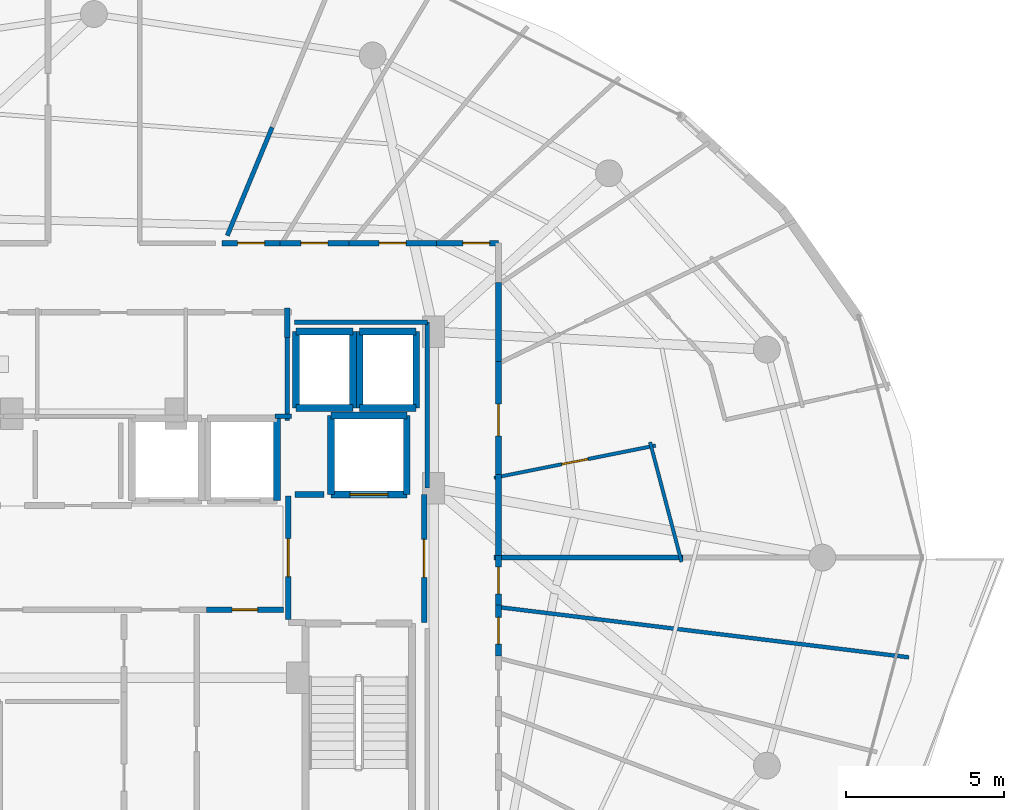
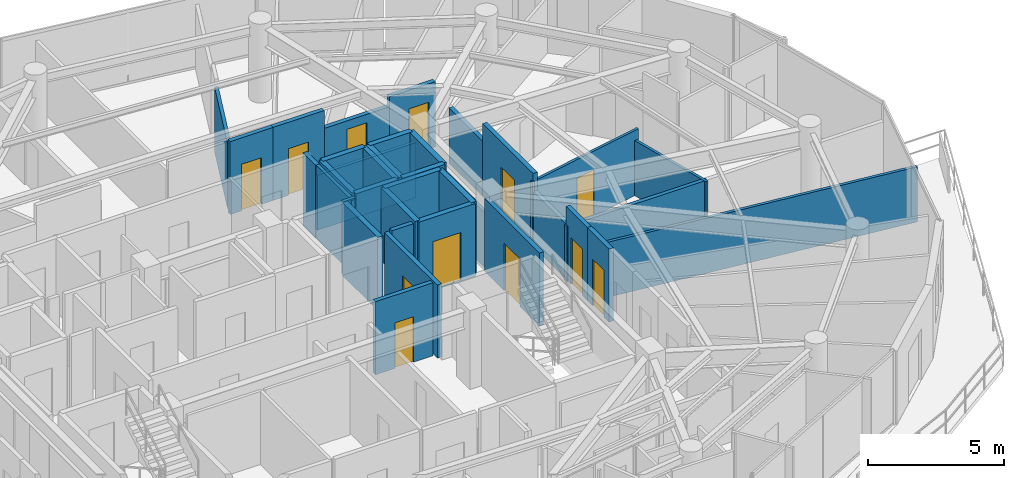
# One storey, part 25 of 30: 36 walls, 12 doors, 12 openings.
"""IFC4 building model written with IfcOpenShell, lengths in metres."""

from ifc_helpers import new_model, si_unit, direction, frame, frame_2d, origin, place, context, subcontext, project, spatial, rectangle, extrude, material, layer, layer_set, type_object, element, fill, save


model = new_model("IFC4")

# Units and contexts
model_context = context("Model", 3, precision=1e-05, world=origin(), true_north=direction((0.0, 1.0)))
body_context = subcontext(model_context, "Body", "Model", "MODEL_VIEW")
ifc_project = project(units=[si_unit("LENGTHUNIT", "METRE"), si_unit("AREAUNIT", "SQUARE_METRE"), si_unit("VOLUMEUNIT", "CUBIC_METRE"), si_unit("PLANEANGLEUNIT", "RADIAN"), si_unit("MASSUNIT", "GRAM", prefix="KILO")], contexts=[model_context])

# Site, building, storey
site_placement = place(None, origin())
site = spatial("IfcSite", under=ifc_project, at=site_placement, CompositionType="ELEMENT")
building_placement = place(site_placement, origin())
building = spatial("IfcBuilding", under=site, at=building_placement, Name="Vorneva Point Tower", CompositionType="ELEMENT")
storey_placement = place(building_placement, frame((0.0, 0.0, 262.64990234375)))
storey = spatial("IfcBuildingStorey", under=building, at=storey_placement, Name="L71", CompositionType="ELEMENT", Elevation=262.64990234375)

# Wall, opening, door
ifc_material_1 = material(Name="Concrete B60 (C50/60)", Category="concrete")
ifc_layer_1 = layer(ifc_material_1, 0.35009765625)
ifc_layer_set_1 = layer_set([ifc_layer_1], Name="Concrete B60 (C50/60)")
wall_type_1 = type_object("IfcWallType", Name="WL-CORE-350", PredefinedType="SHEAR", material=ifc_layer_set_1)
wall_1_placement = place(storey_placement, frame((45.5, 28.0, 0.0), z_axis=(0.0, 0.0, 1.0), x_axis=(1.0, 0.0, 0.0)))
wall_1 = element("IfcWall", 1, at=wall_1_placement, inside=storey, type_object=wall_type_1, Name="L71 Lift FFL2 Shaft Wall -Y", PredefinedType="SHEAR", context=body_context, shape_type="SweptSolid", body=[
    extrude(rectangle(XDim=2.39990234375, YDim=0.219970703125, at=frame_2d((1.199951171875, 0.0))), origin(), (0.0, 0.0, 1.0), 3.2900390625),
])
opening_1_placement = place(wall_1_placement, frame((0.60009765625, 0.0, 0.0)))
opening_1 = element("IfcOpeningElement", 2, at=opening_1_placement, cuts=wall_1, Name="Opening LD-02", PredefinedType="OPENING", context=body_context, shape_type="SweptSolid", body=[
    extrude(rectangle(XDim=1.199951171875, YDim=2.199951171875, at=frame_2d((0.60009765625, 1.10009765625))), frame((0.0, 0.125, 0.0), z_axis=(0.0, -1.0, 0.0), x_axis=(1.0, 0.0, 0.0)), (0.0, 0.0, 1.0), 0.249755859375),
])
ifc_material_2 = material(Name="Brushed stainless steel S304", Category="steel")
door_type_1 = type_object("IfcDoorType", Name="LD-FIRE-1200", OperationType="SLIDING_TO_LEFT", PredefinedType="DOOR", material=ifc_material_2)
door_1_placement = place(opening_1_placement, origin())
door_1 = element("IfcDoor", 3, at=door_1_placement, inside=storey, type_object=door_type_1, Name="L71 Lift FFL2 Sliding Landing Door", OperationType="SLIDING_TO_LEFT", OverallHeight=2.199951171875, OverallWidth=1.199951171875, PredefinedType="DOOR", context=body_context, shape_type="SweptSolid", body=[
    extrude(rectangle(XDim=1.199951171875, YDim=2.199951171875, at=frame_2d((0.60009765625, 1.10009765625))), frame((0.0, 0.02490234375, 0.0), z_axis=(0.0, -1.0, 0.0), x_axis=(1.0, 0.0, 0.0)), (0.0, 0.0, 1.0), 0.050048828125),
])
fill(opening_1, door_1)

# Walls
wall_2_placement = place(storey_placement, frame((47.89990234375, 28.0, 0.0), z_axis=(0.0, 0.0, 1.0), x_axis=(0.0, 1.0, 0.0)))
element("IfcWall", 4, at=wall_2_placement, inside=storey, type_object=wall_type_1, Name="L71 Lift FFL2 Shaft Wall +X", PredefinedType="SHEAR", context=body_context, shape_type="SweptSolid", body=[
    extrude(rectangle(XDim=2.5, YDim=0.219970703125, at=frame_2d((1.25, 0.0))), origin(), (0.0, 0.0, 1.0), 3.2900390625),
])
wall_3_placement = place(storey_placement, frame((47.89990234375, 30.5, 0.0), z_axis=(0.0, 0.0, 1.0), x_axis=(-1.0, 0.0, 0.0)))
element("IfcWall", 5, at=wall_3_placement, inside=storey, type_object=wall_type_1, Name="L71 Lift FFL2 Shaft Wall +Y", PredefinedType="SHEAR", context=body_context, shape_type="SweptSolid", body=[
    extrude(rectangle(XDim=2.39990234375, YDim=0.219970703125, at=frame_2d((1.199951171875, 0.0))), origin(), (0.0, 0.0, 1.0), 3.2900390625),
])
wall_4_placement = place(storey_placement, frame((45.5, 30.5, 0.0), z_axis=(0.0, 0.0, 1.0), x_axis=(0.0, -1.0, 0.0)))
element("IfcWall", 6, at=wall_4_placement, inside=storey, type_object=wall_type_1, Name="L71 Lift FFL2 Shaft Wall -X", PredefinedType="SHEAR", context=body_context, shape_type="SweptSolid", body=[
    extrude(rectangle(XDim=2.5, YDim=0.219970703125, at=frame_2d((1.25, 0.0))), origin(), (0.0, 0.0, 1.0), 3.2900390625),
])

# Wall, opening, door
ifc_material_3 = material(Name="Fire-rated acoustic gypsum stud partition", Category="gypsum")
ifc_layer_2 = layer(ifc_material_3, 0.110107421875)
ifc_layer_set_2 = layer_set([ifc_layer_2], Name="Fire-rated acoustic gypsum stud partition")
wall_type_2 = type_object("IfcWallType", Name="WL-PART-110", PredefinedType="PARTITIONING", material=ifc_layer_set_2)
wall_5_placement = place(storey_placement, frame((50.66259765625, 28.526611328125, 0.0), z_axis=(0.0, 0.0, 1.0), x_axis=(0.980652709614, 0.195755620935, 0.0)))
wall_5 = element("IfcWall", 7, at=wall_5_placement, inside=storey, type_object=wall_type_2, Name="L71 Interior Partition 124", PredefinedType="PARTITIONING", context=body_context, shape_type="SweptSolid", body=[
    extrude(rectangle(XDim=5.20947265625, YDim=0.110107421875, at=frame_2d((2.604736328125, 0.0))), origin(), (0.0, 0.0, 1.0), 2.93603515625),
])
opening_2_placement = place(wall_5_placement, frame((2.1796875, 0.0, 0.0)))
opening_2 = element("IfcOpeningElement", 8, at=opening_2_placement, cuts=wall_5, Name="Opening ID-02", PredefinedType="OPENING", context=body_context, shape_type="SweptSolid", body=[
    extrude(rectangle(XDim=0.85009765625, YDim=2.10009765625, at=frame_2d((0.425048828125, 1.050048828125))), frame((0.0, 0.06982421875, 0.0), z_axis=(0.0, -1.0, 0.0), x_axis=(1.0, 0.0, 0.0)), (0.0, 0.0, 1.0), 0.139892578125),
])
ifc_material_4 = material(Name="Engineered oak fire-rated door leaf", Category="wood")
door_type_2 = type_object("IfcDoorType", Name="DR-BATH-850", OperationType="NOTDEFINED", PredefinedType="DOOR", material=ifc_material_4)
door_2_placement = place(opening_2_placement, origin())
door_2 = element("IfcDoor", 9, at=door_2_placement, inside=storey, type_object=door_type_2, Name="L71 Door Living and Dining Room L71-04 / Bathroom L71-04", OperationType="SINGLE_SWING_LEFT", OverallHeight=2.10009765625, OverallWidth=0.85009765625, PredefinedType="DOOR", context=body_context, shape_type="SweptSolid", body=[
    extrude(rectangle(XDim=0.85009765625, YDim=2.10009765625, at=frame_2d((0.425048828125, 1.050048828125))), frame((0.0, 0.02490234375, 0.0), z_axis=(0.0, -1.0, 0.0), x_axis=(1.0, 0.0, 0.0)), (0.0, 0.0, 1.0), 0.050048828125),
])
fill(opening_2, door_2)

# Walls
wall_6_placement = place(storey_placement, frame((55.598388671875, 29.654296875, 0.0), z_axis=(0.0, 0.0, 1.0), x_axis=(0.25449329928, -0.967074537263, 0.0)))
element("IfcWall", 10, at=wall_6_placement, inside=storey, type_object=wall_type_2, Name="L71 Interior Partition 125", PredefinedType="PARTITIONING", context=body_context, shape_type="SweptSolid", body=[
    extrude(rectangle(XDim=3.9189453125, YDim=0.110107421875, at=frame_2d((1.95947265625, 0.0))), origin(), (0.0, 0.0, 1.0), 2.482177734375),
])
ifc_layer_3 = layer(ifc_material_3, 0.125)
ifc_layer_set_3 = layer_set([ifc_layer_3], Name="Fire-rated acoustic gypsum stud partition")
wall_type_3 = type_object("IfcWallType", Name="WL-PART-125", PredefinedType="PARTITIONING", material=ifc_layer_set_3)
wall_7_placement = place(storey_placement, frame((63.7880859375, 22.844970703125, 0.0), z_axis=(0.0, 0.0, 1.0), x_axis=(-0.992598006299, 0.121446275738, 0.0)))
element("IfcWall", 11, at=wall_7_placement, inside=storey, type_object=wall_type_3, Name="L71 Interior Partition 121", PredefinedType="PARTITIONING", context=body_context, shape_type="SweptSolid", body=[
    extrude(rectangle(XDim=13.0849609375, YDim=0.125, at=frame_2d((6.54248046875, 0.0))), origin(), (0.0, 0.0, 1.0), 2.482177734375),
])
ifc_layer_4 = layer(ifc_material_3, 0.139892578125)
ifc_layer_set_4 = layer_set([ifc_layer_4], Name="Fire-rated acoustic gypsum stud partition")
wall_type_4 = type_object("IfcWallType", Name="WL-PART-140", PredefinedType="PARTITIONING", material=ifc_layer_set_4)
wall_8_placement = place(storey_placement, frame((43.735107421875, 30.47998046875, 0.0), z_axis=(0.0, 0.0, 1.0), x_axis=(1.0, 0.0, 0.0)))
element("IfcWall", 12, at=wall_8_placement, inside=storey, type_object=wall_type_4, Name="L71 Interior Closure Partition 145", PredefinedType="PARTITIONING", context=body_context, shape_type="SweptSolid", body=[
    extrude(rectangle(XDim=0.52490234375, YDim=0.139892578125, at=frame_2d((0.262451171875, 0.0))), origin(), (0.0, 0.0, 1.0), 3.2900390625),
])
wall_9_placement = place(storey_placement, frame((44.1201171875, 30.340087890625, 0.0), z_axis=(0.0, 0.0, 1.0), x_axis=(0.0, 1.0, 0.0)))
element("IfcWall", 13, at=wall_9_placement, inside=storey, type_object=wall_type_4, Name="L71 Interior Closure Partition 146", PredefinedType="PARTITIONING", context=body_context, shape_type="SweptSolid", body=[
    extrude(rectangle(XDim=2.659912109375, YDim=0.139892578125, at=frame_2d((1.330078125, 0.0))), origin(), (0.0, 0.0, 1.0), 3.2900390625),
])
wall_10_placement = place(storey_placement, frame((48.550048828125, 28.196044921875, 0.0), z_axis=(0.0, 0.0, 1.0), x_axis=(0.0, 1.0, 0.0)))
element("IfcWall", 14, at=wall_10_placement, inside=storey, type_object=wall_type_4, Name="L71 Interior Closure Partition 160", PredefinedType="PARTITIONING", context=body_context, shape_type="SweptSolid", body=[
    extrude(rectangle(XDim=5.25390625, YDim=0.139892578125, at=frame_2d((2.626953125, 0.0))), origin(), (0.0, 0.0, 1.0), 2.482177734375),
])
wall_11_placement = place(storey_placement, frame((48.550048828125, 33.449951171875, 0.0), z_axis=(0.0, 0.0, 1.0), x_axis=(-1.0, 0.0, 0.0)))
element("IfcWall", 15, at=wall_11_placement, inside=storey, type_object=wall_type_4, Name="L71 Interior Closure Partition 161", PredefinedType="PARTITIONING", context=body_context, shape_type="SweptSolid", body=[
    extrude(rectangle(XDim=4.2099609375, YDim=0.139892578125, at=frame_2d((2.10498046875, 0.0))), origin(), (0.0, 0.0, 1.0), 2.482177734375),
])
wall_12_placement = place(storey_placement, frame((43.638916015625, 39.614013671875, 0.0), z_axis=(0.0, 0.0, 1.0), x_axis=(-0.38270095978, -0.923872272224, 0.0)))
element("IfcWall", 16, at=wall_12_placement, inside=storey, type_object=wall_type_4, Name="L71 Interior Closure Partition 171", PredefinedType="PARTITIONING", context=body_context, shape_type="SweptSolid", body=[
    extrude(rectangle(XDim=3.705078125, YDim=0.139892578125, at=frame_2d((1.8525390625, 0.0))), origin(), (0.0, 0.0, 1.0), 2.93603515625),
])
ifc_layer_5 = layer(ifc_material_3, 0.159912109375)
ifc_layer_set_5 = layer_set([ifc_layer_5], Name="Fire-rated acoustic gypsum stud partition")
wall_type_5 = type_object("IfcWallType", Name="WL-PART-160", PredefinedType="PARTITIONING", material=ifc_layer_set_5)
wall_13_placement = place(storey_placement, frame((56.637939453125, 26.0, 0.0), z_axis=(0.0, 0.0, 1.0), x_axis=(-1.0, 0.0, 0.0)))
element("IfcWall", 17, at=wall_13_placement, inside=storey, type_object=wall_type_5, Name="L71 Interior Partition 123", PredefinedType="PARTITIONING", context=body_context, shape_type="SweptSolid", body=[
    extrude(rectangle(XDim=5.97802734375, YDim=0.159912109375, at=frame_2d((2.989013671875, 0.0))), origin(), (0.0, 0.0, 1.0), 2.482177734375),
])

# Wall, opening, door
ifc_material_5 = material(Name="Autoclaved aerated concrete blockwork", Category="masonry")
ifc_layer_6 = layer(ifc_material_5, 0.179931640625)
ifc_layer_set_6 = layer_set([ifc_layer_6], Name="Autoclaved aerated concrete blockwork")
wall_type_6 = type_object("IfcWallType", Name="WL-PART-180", PredefinedType="PARTITIONING", material=ifc_layer_set_6)
wall_14_placement = place(storey_placement, frame((44.14990234375, 27.955078125, 0.0), z_axis=(0.0, 0.0, 1.0), x_axis=(0.0, -1.0, 0.0)))
wall_14 = element("IfcWall", 18, at=wall_14_placement, inside=storey, type_object=wall_type_6, Name="L71 Interior Partition 003", PredefinedType="PARTITIONING", context=body_context, shape_type="SweptSolid", body=[
    extrude(rectangle(XDim=3.91015625, YDim=0.179931640625, at=frame_2d((1.955078125, 0.0))), origin(), (0.0, 0.0, 1.0), 3.2900390625),
])
opening_3_placement = place(wall_14_placement, frame((1.35498046875, 0.0, 0.0)))
opening_3 = element("IfcOpeningElement", 19, at=opening_3_placement, cuts=wall_14, Name="Opening FD-02", PredefinedType="OPENING", context=body_context, shape_type="SweptSolid", body=[
    extrude(rectangle(XDim=1.199951171875, YDim=2.14990234375, at=frame_2d((0.60009765625, 1.074951171875))), frame((0.0, 0.10498046875, 0.0), z_axis=(0.0, -1.0, 0.0), x_axis=(1.0, 0.0, 0.0)), (0.0, 0.0, 1.0), 0.209716796875),
])
ifc_material_6 = material(Name="Fire-rated powder-coated steel", Category="steel")
door_type_3 = type_object("IfcDoorType", Name="DR-FFL-1200", OperationType="NOTDEFINED", PredefinedType="DOOR", material=ifc_material_6)
door_3_placement = place(opening_3_placement, origin())
door_3 = element("IfcDoor", 20, at=door_3_placement, inside=storey, type_object=door_type_3, Name="L71 Door East Firefighting Lobby / Central Lift Lobby", OperationType="SINGLE_SWING_LEFT", OverallHeight=2.14990234375, OverallWidth=1.199951171875, PredefinedType="DOOR", context=body_context, shape_type="SweptSolid", body=[
    extrude(rectangle(XDim=1.199951171875, YDim=2.14990234375, at=frame_2d((0.60009765625, 1.074951171875))), frame((0.0, 0.02490234375, 0.0), z_axis=(0.0, -1.0, 0.0), x_axis=(1.0, 0.0, 0.0)), (0.0, 0.0, 1.0), 0.050048828125),
])
fill(opening_3, door_3)

wall_15_placement = place(storey_placement, frame((48.449951171875, 23.949951171875, 0.0), z_axis=(0.0, 0.0, 1.0), x_axis=(0.0, 1.0, 0.0)))
wall_15 = element("IfcWall", 21, at=wall_15_placement, inside=storey, type_object=wall_type_6, Name="L71 Interior Partition 005", PredefinedType="PARTITIONING", context=body_context, shape_type="SweptSolid", body=[
    extrude(rectangle(XDim=4.050048828125, YDim=0.179931640625, at=frame_2d((2.02490234375, 0.0))), origin(), (0.0, 0.0, 1.0), 3.2900390625),
])
opening_4_placement = place(wall_15_placement, frame((1.425048828125, 0.0, 0.0)))
opening_4 = element("IfcOpeningElement", 22, at=opening_4_placement, cuts=wall_15, Name="Opening FD-02", PredefinedType="OPENING", context=body_context, shape_type="SweptSolid", body=[
    extrude(rectangle(XDim=1.199951171875, YDim=2.14990234375, at=frame_2d((0.60009765625, 1.074951171875))), frame((0.0, 0.10498046875, 0.0), z_axis=(0.0, -1.0, 0.0), x_axis=(1.0, 0.0, 0.0)), (0.0, 0.0, 1.0), 0.209716796875),
])
door_4_placement = place(opening_4_placement, origin())
door_4 = element("IfcDoor", 23, at=door_4_placement, inside=storey, type_object=door_type_3, Name="L71 Door East Firefighting Lobby / L71 Circulation Corridor", OperationType="SINGLE_SWING_LEFT", OverallHeight=2.14990234375, OverallWidth=1.199951171875, PredefinedType="DOOR", context=body_context, shape_type="SweptSolid", body=[
    extrude(rectangle(XDim=1.199951171875, YDim=2.14990234375, at=frame_2d((0.60009765625, 1.074951171875))), frame((0.0, 0.02490234375, 0.0), z_axis=(0.0, -1.0, 0.0), x_axis=(1.0, 0.0, 0.0)), (0.0, 0.0, 1.0), 0.050048828125),
])
fill(opening_4, door_4)

wall_16_placement = place(storey_placement, frame((41.554931640625, 24.35009765625, 0.0), z_axis=(0.0, 0.0, 1.0), x_axis=(1.0, 0.0, 0.0)))
wall_16 = element("IfcWall", 24, at=wall_16_placement, inside=storey, type_object=wall_type_6, Name="L71 Interior Partition 011", PredefinedType="PARTITIONING", context=body_context, shape_type="SweptSolid", body=[
    extrude(rectangle(XDim=2.445068359375, YDim=0.179931640625, at=frame_2d((1.22265625, 0.0))), origin(), (0.0, 0.0, 1.0), 3.2900390625),
])
opening_5_placement = place(wall_16_placement, frame((0.822509765625, 0.0, 0.0)))
opening_5 = element("IfcOpeningElement", 25, at=opening_5_placement, cuts=wall_16, Name="Opening RD-01", PredefinedType="OPENING", context=body_context, shape_type="SweptSolid", body=[
    extrude(rectangle(XDim=0.800048828125, YDim=2.050048828125, at=frame_2d((0.39990234375, 1.02490234375))), frame((0.0, 0.10498046875, 0.0), z_axis=(0.0, -1.0, 0.0), x_axis=(1.0, 0.0, 0.0)), (0.0, 0.0, 1.0), 0.209716796875),
])
door_type_4 = type_object("IfcDoorType", Name="DR-RSR-800", OperationType="SINGLE_SWING_LEFT", PredefinedType="DOOR", material=ifc_material_6)
door_5_placement = place(opening_5_placement, origin())
door_5 = element("IfcDoor", 26, at=door_5_placement, inside=storey, type_object=door_type_4, Name="L71 Door Central Lift Lobby / Electrical Riser", OperationType="SINGLE_SWING_LEFT", OverallHeight=2.050048828125, OverallWidth=0.800048828125, PredefinedType="DOOR", context=body_context, shape_type="SweptSolid", body=[
    extrude(rectangle(XDim=0.800048828125, YDim=2.050048828125, at=frame_2d((0.39990234375, 1.02490234375))), frame((0.0, 0.02490234375, 0.0), z_axis=(0.0, -1.0, 0.0), x_axis=(1.0, 0.0, 0.0)), (0.0, 0.0, 1.0), 0.050048828125),
])
fill(opening_5, door_5)

# Wall
wall_17_placement = place(storey_placement, frame((44.1201171875, 32.969970703125, 0.0), z_axis=(0.0, 0.0, 1.0), x_axis=(0.0, 1.0, 0.0)))
element("IfcWall", 27, at=wall_17_placement, inside=storey, type_object=wall_type_6, Name="L71 Interior Partition 027", PredefinedType="PARTITIONING", context=body_context, shape_type="SweptSolid", body=[
    extrude(rectangle(XDim=0.929931640625, YDim=0.179931640625, at=frame_2d((0.46484375, 0.0))), origin(), (0.0, 0.0, 1.0), 3.2900390625),
])

# Wall, opening, door
wall_18_placement = place(storey_placement, frame((50.800048828125, 22.8798828125, 0.0), z_axis=(0.0, 0.0, 1.0), x_axis=(0.0, 1.0, 0.0)))
wall_18 = element("IfcWall", 28, at=wall_18_placement, inside=storey, type_object=wall_type_6, Name="L71 Interior Partition 053", PredefinedType="PARTITIONING", context=body_context, shape_type="SweptSolid", body=[
    extrude(rectangle(XDim=1.614013671875, YDim=0.179931640625, at=frame_2d((0.80712890625, 0.0))), origin(), (0.0, 0.0, 1.0), 3.2900390625),
])
opening_6_placement = place(wall_18_placement, frame((0.382080078125, 0.0, 0.0)))
opening_6 = element("IfcOpeningElement", 29, at=opening_6_placement, cuts=wall_18, Name="Opening ID-02", PredefinedType="OPENING", context=body_context, shape_type="SweptSolid", body=[
    extrude(rectangle(XDim=0.85009765625, YDim=2.10009765625, at=frame_2d((0.425048828125, 1.050048828125))), frame((0.0, 0.10498046875, 0.0), z_axis=(0.0, -1.0, 0.0), x_axis=(1.0, 0.0, 0.0)), (0.0, 0.0, 1.0), 0.209716796875),
])
door_6_placement = place(opening_6_placement, origin())
door_6 = element("IfcDoor", 30, at=door_6_placement, inside=storey, type_object=door_type_2, Name="L71 Access Door L71 Circulation Corridor", OperationType="SINGLE_SWING_RIGHT", OverallHeight=2.10009765625, OverallWidth=0.85009765625, PredefinedType="DOOR", context=body_context, shape_type="SweptSolid", body=[
    extrude(rectangle(XDim=0.85009765625, YDim=2.10009765625, at=frame_2d((0.425048828125, 1.050048828125))), frame((0.0, 0.02490234375, 0.0), z_axis=(0.0, -1.0, 0.0), x_axis=(1.0, 0.0, 0.0)), (0.0, 0.0, 1.0), 0.050048828125),
])
fill(opening_6, door_6)

wall_19_placement = place(storey_placement, frame((50.800048828125, 24.493896484375, 0.0), z_axis=(0.0, 0.0, 1.0), x_axis=(0.0, 1.0, 0.0)))
wall_19 = element("IfcWall", 31, at=wall_19_placement, inside=storey, type_object=wall_type_6, Name="L71 Interior Partition 054", PredefinedType="PARTITIONING", context=body_context, shape_type="SweptSolid", body=[
    extrude(rectangle(XDim=1.566162109375, YDim=0.179931640625, at=frame_2d((0.783203125, 0.0))), origin(), (0.0, 0.0, 1.0), 3.2900390625),
])
opening_7_placement = place(wall_19_placement, frame((0.35791015625, 0.0, 0.0)))
opening_7 = element("IfcOpeningElement", 32, at=opening_7_placement, cuts=wall_19, Name="Opening ID-02", PredefinedType="OPENING", context=body_context, shape_type="SweptSolid", body=[
    extrude(rectangle(XDim=0.85009765625, YDim=2.10009765625, at=frame_2d((0.425048828125, 1.050048828125))), frame((0.0, 0.10498046875, 0.0), z_axis=(0.0, -1.0, 0.0), x_axis=(1.0, 0.0, 0.0)), (0.0, 0.0, 1.0), 0.209716796875),
])
door_7_placement = place(opening_7_placement, origin())
door_7 = element("IfcDoor", 33, at=door_7_placement, inside=storey, type_object=door_type_2, Name="L71 Access Door L71 Circulation Corridor", OperationType="SINGLE_SWING_LEFT", OverallHeight=2.10009765625, OverallWidth=0.85009765625, PredefinedType="DOOR", context=body_context, shape_type="SweptSolid", body=[
    extrude(rectangle(XDim=0.85009765625, YDim=2.10009765625, at=frame_2d((0.425048828125, 1.050048828125))), frame((0.0, 0.02490234375, 0.0), z_axis=(0.0, -1.0, 0.0), x_axis=(1.0, 0.0, 0.0)), (0.0, 0.0, 1.0), 0.050048828125),
])
fill(opening_7, door_7)

wall_20_placement = place(storey_placement, frame((50.800048828125, 28.493896484375, 0.0), z_axis=(0.0, 0.0, 1.0), x_axis=(0.0, 1.0, 0.0)))
wall_20 = element("IfcWall", 34, at=wall_20_placement, inside=storey, type_object=wall_type_6, Name="L71 Interior Partition 055", PredefinedType="PARTITIONING", context=body_context, shape_type="SweptSolid", body=[
    extrude(rectangle(XDim=3.718994140625, YDim=0.179931640625, at=frame_2d((1.859375, 0.0))), origin(), (0.0, 0.0, 1.0), 3.2900390625),
])
opening_8_placement = place(wall_20_placement, frame((1.359619140625, 0.0, 0.0)))
opening_8 = element("IfcOpeningElement", 35, at=opening_8_placement, cuts=wall_20, Name="Opening UD-01", PredefinedType="OPENING", context=body_context, shape_type="SweptSolid", body=[
    extrude(rectangle(XDim=1.0, YDim=2.14990234375, at=frame_2d((0.5, 1.074951171875))), frame((0.0, 0.10498046875, 0.0), z_axis=(0.0, -1.0, 0.0), x_axis=(1.0, 0.0, 0.0)), (0.0, 0.0, 1.0), 0.209716796875),
])
door_type_5 = type_object("IfcDoorType", Name="DR-UNIT-1000", OperationType="NOTDEFINED", PredefinedType="DOOR", material=ifc_material_4)
door_8_placement = place(opening_8_placement, origin())
door_8 = element("IfcDoor", 36, at=door_8_placement, inside=storey, type_object=door_type_5, Name="L71 Door L71 Circulation Corridor / Living and Dining Room L71-04", OperationType="SINGLE_SWING_RIGHT", OverallHeight=2.14990234375, OverallWidth=1.0, PredefinedType="DOOR", context=body_context, shape_type="SweptSolid", body=[
    extrude(rectangle(XDim=1.0, YDim=2.14990234375, at=frame_2d((0.5, 1.074951171875))), frame((0.0, 0.02490234375, 0.0), z_axis=(0.0, -1.0, 0.0), x_axis=(1.0, 0.0, 0.0)), (0.0, 0.0, 1.0), 0.050048828125),
])
fill(opening_8, door_8)

# Walls
wall_21_placement = place(storey_placement, frame((50.800048828125, 25.919921875, 0.0), z_axis=(0.0, 0.0, 1.0), x_axis=(0.0, 1.0, 0.0)))
element("IfcWall", 37, at=wall_21_placement, inside=storey, type_object=wall_type_6, Name="L71 Interior Partition 056", PredefinedType="PARTITIONING", context=body_context, shape_type="SweptSolid", body=[
    extrude(rectangle(XDim=2.714111328125, YDim=0.179931640625, at=frame_2d((1.35693359375, 0.0))), origin(), (0.0, 0.0, 1.0), 2.482177734375),
])
wall_22_placement = place(storey_placement, frame((50.800048828125, 32.212890625, 0.0), z_axis=(0.0, 0.0, 1.0), x_axis=(0.0, 1.0, 0.0)))
element("IfcWall", 38, at=wall_22_placement, inside=storey, type_object=wall_type_6, Name="L71 Interior Partition 057", PredefinedType="PARTITIONING", context=body_context, shape_type="SweptSolid", body=[
    extrude(rectangle(XDim=2.4990234375, YDim=0.179931640625, at=frame_2d((1.24951171875, 0.0))), origin(), (0.0, 0.0, 1.0), 2.482177734375),
])

# Wall, opening, door
wall_23_placement = place(storey_placement, frame((50.800048828125, 35.949951171875, 0.0), z_axis=(0.0, 0.0, 1.0), x_axis=(-1.0, 0.0, 0.0)))
wall_23 = element("IfcWall", 39, at=wall_23_placement, inside=storey, type_object=wall_type_6, Name="L71 Interior Partition 059", PredefinedType="PARTITIONING", context=body_context, shape_type="SweptSolid", body=[
    extrude(rectangle(XDim=1.9599609375, YDim=0.179931640625, at=frame_2d((0.97998046875, 0.0))), origin(), (0.0, 0.0, 1.0), 2.93603515625),
])
opening_9_placement = place(wall_23_placement, frame((0.27490234375, 0.0, 0.0)))
opening_9 = element("IfcOpeningElement", 40, at=opening_9_placement, cuts=wall_23, Name="Opening ID-02", PredefinedType="OPENING", context=body_context, shape_type="SweptSolid", body=[
    extrude(rectangle(XDim=0.85009765625, YDim=2.10009765625, at=frame_2d((0.425048828125, 1.050048828125))), frame((0.0, 0.10498046875, 0.0), z_axis=(0.0, -1.0, 0.0), x_axis=(1.0, 0.0, 0.0)), (0.0, 0.0, 1.0), 0.209716796875),
])
door_9_placement = place(opening_9_placement, origin())
door_9 = element("IfcDoor", 41, at=door_9_placement, inside=storey, type_object=door_type_2, Name="L71 Access Door L71 Circulation Corridor", OperationType="SINGLE_SWING_RIGHT", OverallHeight=2.10009765625, OverallWidth=0.85009765625, PredefinedType="DOOR", context=body_context, shape_type="SweptSolid", body=[
    extrude(rectangle(XDim=0.85009765625, YDim=2.10009765625, at=frame_2d((0.425048828125, 1.050048828125))), frame((0.0, 0.02490234375, 0.0), z_axis=(0.0, -1.0, 0.0), x_axis=(1.0, 0.0, 0.0)), (0.0, 0.0, 1.0), 0.050048828125),
])
fill(opening_9, door_9)

wall_24_placement = place(storey_placement, frame((48.840087890625, 35.949951171875, 0.0), z_axis=(0.0, 0.0, 1.0), x_axis=(-1.0, 0.0, 0.0)))
wall_24 = element("IfcWall", 42, at=wall_24_placement, inside=storey, type_object=wall_type_6, Name="L71 Interior Partition 060", PredefinedType="PARTITIONING", context=body_context, shape_type="SweptSolid", body=[
    extrude(rectangle(XDim=2.773193359375, YDim=0.179931640625, at=frame_2d((1.38671875, 0.0))), origin(), (0.0, 0.0, 1.0), 2.482177734375),
])
opening_10_placement = place(wall_24_placement, frame((0.96142578125, 0.0, 0.0)))
opening_10 = element("IfcOpeningElement", 43, at=opening_10_placement, cuts=wall_24, Name="Opening ID-02", PredefinedType="OPENING", context=body_context, shape_type="SweptSolid", body=[
    extrude(rectangle(XDim=0.85009765625, YDim=2.10009765625, at=frame_2d((0.425048828125, 1.050048828125))), frame((0.0, 0.10498046875, 0.0), z_axis=(0.0, -1.0, 0.0), x_axis=(1.0, 0.0, 0.0)), (0.0, 0.0, 1.0), 0.209716796875),
])
door_10_placement = place(opening_10_placement, origin())
door_10 = element("IfcDoor", 44, at=door_10_placement, inside=storey, type_object=door_type_2, Name="L71 Access Door L71 Circulation Corridor", OperationType="SINGLE_SWING_LEFT", OverallHeight=2.10009765625, OverallWidth=0.85009765625, PredefinedType="DOOR", context=body_context, shape_type="SweptSolid", body=[
    extrude(rectangle(XDim=0.85009765625, YDim=2.10009765625, at=frame_2d((0.425048828125, 1.050048828125))), frame((0.0, 0.02490234375, 0.0), z_axis=(0.0, -1.0, 0.0), x_axis=(1.0, 0.0, 0.0)), (0.0, 0.0, 1.0), 0.050048828125),
])
fill(opening_10, door_10)

wall_25_placement = place(storey_placement, frame((46.06689453125, 35.949951171875, 0.0), z_axis=(0.0, 0.0, 1.0), x_axis=(-1.0, 0.0, 0.0)))
wall_25 = element("IfcWall", 45, at=wall_25_placement, inside=storey, type_object=wall_type_6, Name="L71 Interior Partition 061", PredefinedType="PARTITIONING", context=body_context, shape_type="SweptSolid", body=[
    extrude(rectangle(XDim=2.178955078125, YDim=0.179931640625, at=frame_2d((1.08935546875, 0.0))), origin(), (0.0, 0.0, 1.0), 3.2900390625),
])
opening_11_placement = place(wall_25_placement, frame((0.66455078125, 0.0, 0.0)))
opening_11 = element("IfcOpeningElement", 46, at=opening_11_placement, cuts=wall_25, Name="Opening ID-02", PredefinedType="OPENING", context=body_context, shape_type="SweptSolid", body=[
    extrude(rectangle(XDim=0.85009765625, YDim=2.10009765625, at=frame_2d((0.425048828125, 1.050048828125))), frame((0.0, 0.10498046875, 0.0), z_axis=(0.0, -1.0, 0.0), x_axis=(1.0, 0.0, 0.0)), (0.0, 0.0, 1.0), 0.209716796875),
])
door_11_placement = place(opening_11_placement, origin())
door_11 = element("IfcDoor", 47, at=door_11_placement, inside=storey, type_object=door_type_2, Name="L71 Access Door L71 Circulation Corridor", OperationType="SINGLE_SWING_RIGHT", OverallHeight=2.10009765625, OverallWidth=0.85009765625, PredefinedType="DOOR", context=body_context, shape_type="SweptSolid", body=[
    extrude(rectangle(XDim=0.85009765625, YDim=2.10009765625, at=frame_2d((0.425048828125, 1.050048828125))), frame((0.0, 0.02490234375, 0.0), z_axis=(0.0, -1.0, 0.0), x_axis=(1.0, 0.0, 0.0)), (0.0, 0.0, 1.0), 0.050048828125),
])
fill(opening_11, door_11)

wall_26_placement = place(storey_placement, frame((43.887939453125, 35.949951171875, 0.0), z_axis=(0.0, 0.0, 1.0), x_axis=(-1.0, 0.0, 0.0)))
wall_26 = element("IfcWall", 48, at=wall_26_placement, inside=storey, type_object=wall_type_6, Name="L71 Interior Partition 062", PredefinedType="PARTITIONING", context=body_context, shape_type="SweptSolid", body=[
    extrude(rectangle(XDim=1.826904296875, YDim=0.179931640625, at=frame_2d((0.91357421875, 0.0))), origin(), (0.0, 0.0, 1.0), 3.2900390625),
])
opening_12_placement = place(wall_26_placement, frame((0.488525390625, 0.0, 0.0)))
opening_12 = element("IfcOpeningElement", 49, at=opening_12_placement, cuts=wall_26, Name="Opening ID-02", PredefinedType="OPENING", context=body_context, shape_type="SweptSolid", body=[
    extrude(rectangle(XDim=0.85009765625, YDim=2.10009765625, at=frame_2d((0.425048828125, 1.050048828125))), frame((0.0, 0.10498046875, 0.0), z_axis=(0.0, -1.0, 0.0), x_axis=(1.0, 0.0, 0.0)), (0.0, 0.0, 1.0), 0.209716796875),
])
door_12_placement = place(opening_12_placement, origin())
door_12 = element("IfcDoor", 50, at=door_12_placement, inside=storey, type_object=door_type_2, Name="L71 Access Door L71 Circulation Corridor", OperationType="SINGLE_SWING_LEFT", OverallHeight=2.10009765625, OverallWidth=0.85009765625, PredefinedType="DOOR", context=body_context, shape_type="SweptSolid", body=[
    extrude(rectangle(XDim=0.85009765625, YDim=2.10009765625, at=frame_2d((0.425048828125, 1.050048828125))), frame((0.0, 0.02490234375, 0.0), z_axis=(0.0, -1.0, 0.0), x_axis=(1.0, 0.0, 0.0)), (0.0, 0.0, 1.0), 0.050048828125),
])
fill(opening_12, door_12)

# Walls
wall_27_placement = place(storey_placement, frame((45.280029296875, 28.0, 0.0), z_axis=(0.0, 0.0, 1.0), x_axis=(-1.0, 0.0, 0.0)))
element("IfcWall", 51, at=wall_27_placement, inside=storey, type_object=wall_type_6, Name="L71 Interior Closure Partition 142", PredefinedType="PARTITIONING", context=body_context, shape_type="SweptSolid", body=[
    extrude(rectangle(XDim=0.9150390625, YDim=0.179931640625, at=frame_2d((0.45751953125, 0.0))), origin(), (0.0, 0.0, 1.0), 3.2900390625),
])
ifc_material_7 = material(Name="Concrete B50 (C40/50)", Category="concrete")
ifc_layer_7 = layer(ifc_material_7, 0.219970703125)
ifc_layer_set_7 = layer_set([ifc_layer_7], Name="Concrete B50 (C40/50)")
wall_type_7 = type_object("IfcWallType", Name="WL-SHFT-220", PredefinedType="SOLIDWALL", material=ifc_layer_set_7)
wall_28_placement = place(storey_placement, frame((43.800048828125, 27.800048828125, 0.0), z_axis=(0.0, 0.0, 1.0), x_axis=(0.0, 1.0, 0.0)))
element("IfcWall", 52, at=wall_28_placement, inside=storey, type_object=wall_type_7, Name="L71 Lift PL8 Shaft Wall +X", PredefinedType="SOLIDWALL", context=body_context, shape_type="SweptSolid", body=[
    extrude(rectangle(XDim=2.599853515625, YDim=0.219970703125, at=frame_2d((1.2998046875, 0.0))), origin(), (0.0, 0.0, 1.0), 3.2900390625),
])
wall_29_placement = place(storey_placement, frame((44.39990234375, 30.739990234375, 0.0), z_axis=(0.0, 0.0, 1.0), x_axis=(1.0, 0.0, 0.0)))
element("IfcWall", 53, at=wall_29_placement, inside=storey, type_object=wall_type_7, Name="L71 Lift EX1 Shaft Wall -Y", PredefinedType="SOLIDWALL", context=body_context, shape_type="SweptSolid", body=[
    extrude(rectangle(XDim=1.800048828125, YDim=0.219970703125, at=frame_2d((0.89990234375, 0.0))), origin(), (0.0, 0.0, 1.0), 3.2900390625),
])
wall_30_placement = place(storey_placement, frame((46.199951171875, 30.739990234375, 0.0), z_axis=(0.0, 0.0, 1.0), x_axis=(0.0, 1.0, 0.0)))
element("IfcWall", 54, at=wall_30_placement, inside=storey, type_object=wall_type_7, Name="L71 Lift EX1 Shaft Wall +X", PredefinedType="SOLIDWALL", context=body_context, shape_type="SweptSolid", body=[
    extrude(rectangle(XDim=2.419921875, YDim=0.219970703125, at=frame_2d((1.2099609375, 0.0))), origin(), (0.0, 0.0, 1.0), 3.2900390625),
])
wall_31_placement = place(storey_placement, frame((46.199951171875, 33.159912109375, 0.0), z_axis=(0.0, 0.0, 1.0), x_axis=(-1.0, 0.0, 0.0)))
element("IfcWall", 55, at=wall_31_placement, inside=storey, type_object=wall_type_7, Name="L71 Lift EX1 Shaft Wall +Y", PredefinedType="SOLIDWALL", context=body_context, shape_type="SweptSolid", body=[
    extrude(rectangle(XDim=1.800048828125, YDim=0.219970703125, at=frame_2d((0.89990234375, 0.0))), origin(), (0.0, 0.0, 1.0), 3.2900390625),
])
wall_32_placement = place(storey_placement, frame((44.39990234375, 33.159912109375, 0.0), z_axis=(0.0, 0.0, 1.0), x_axis=(0.0, -1.0, 0.0)))
element("IfcWall", 56, at=wall_32_placement, inside=storey, type_object=wall_type_7, Name="L71 Lift EX1 Shaft Wall -X", PredefinedType="SOLIDWALL", context=body_context, shape_type="SweptSolid", body=[
    extrude(rectangle(XDim=2.419921875, YDim=0.219970703125, at=frame_2d((1.2099609375, 0.0))), origin(), (0.0, 0.0, 1.0), 3.2900390625),
])
wall_33_placement = place(storey_placement, frame((46.39990234375, 30.739990234375, 0.0), z_axis=(0.0, 0.0, 1.0), x_axis=(1.0, 0.0, 0.0)))
element("IfcWall", 57, at=wall_33_placement, inside=storey, type_object=wall_type_7, Name="L71 Lift EX2 Shaft Wall -Y", PredefinedType="SOLIDWALL", context=body_context, shape_type="SweptSolid", body=[
    extrude(rectangle(XDim=1.800048828125, YDim=0.219970703125, at=frame_2d((0.89990234375, 0.0))), origin(), (0.0, 0.0, 1.0), 3.2900390625),
])
wall_34_placement = place(storey_placement, frame((48.199951171875, 30.739990234375, 0.0), z_axis=(0.0, 0.0, 1.0), x_axis=(0.0, 1.0, 0.0)))
element("IfcWall", 58, at=wall_34_placement, inside=storey, type_object=wall_type_7, Name="L71 Lift EX2 Shaft Wall +X", PredefinedType="SOLIDWALL", context=body_context, shape_type="SweptSolid", body=[
    extrude(rectangle(XDim=2.419921875, YDim=0.219970703125, at=frame_2d((1.2099609375, 0.0))), origin(), (0.0, 0.0, 1.0), 3.2900390625),
])
wall_35_placement = place(storey_placement, frame((48.199951171875, 33.159912109375, 0.0), z_axis=(0.0, 0.0, 1.0), x_axis=(-1.0, 0.0, 0.0)))
element("IfcWall", 59, at=wall_35_placement, inside=storey, type_object=wall_type_7, Name="L71 Lift EX2 Shaft Wall +Y", PredefinedType="SOLIDWALL", context=body_context, shape_type="SweptSolid", body=[
    extrude(rectangle(XDim=1.800048828125, YDim=0.219970703125, at=frame_2d((0.89990234375, 0.0))), origin(), (0.0, 0.0, 1.0), 3.2900390625),
])
wall_36_placement = place(storey_placement, frame((46.39990234375, 33.159912109375, 0.0), z_axis=(0.0, 0.0, 1.0), x_axis=(0.0, -1.0, 0.0)))
element("IfcWall", 60, at=wall_36_placement, inside=storey, type_object=wall_type_7, Name="L71 Lift EX2 Shaft Wall -X", PredefinedType="SOLIDWALL", context=body_context, shape_type="SweptSolid", body=[
    extrude(rectangle(XDim=2.419921875, YDim=0.219970703125, at=frame_2d((1.2099609375, 0.0))), origin(), (0.0, 0.0, 1.0), 3.2900390625),
])

save(model, "model.ifc")
